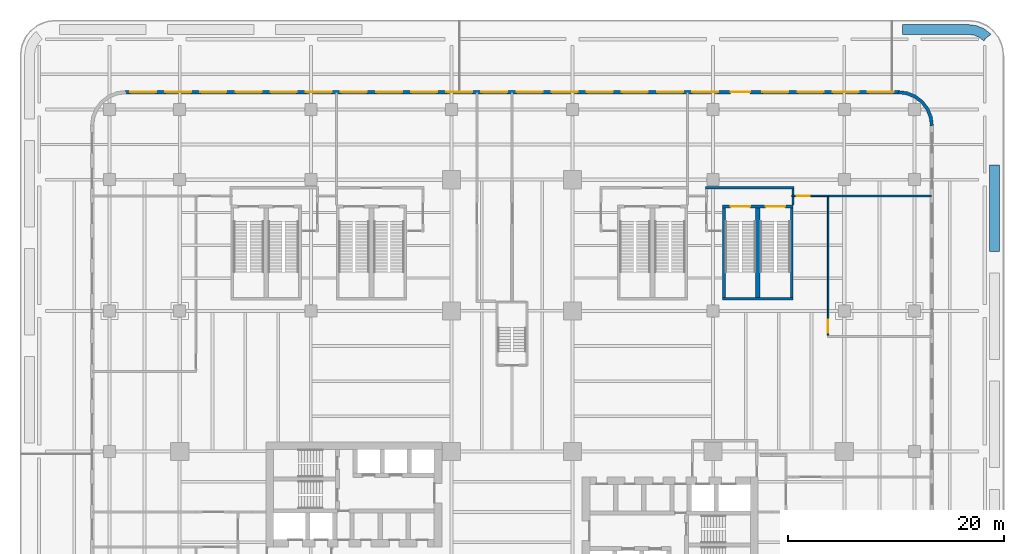
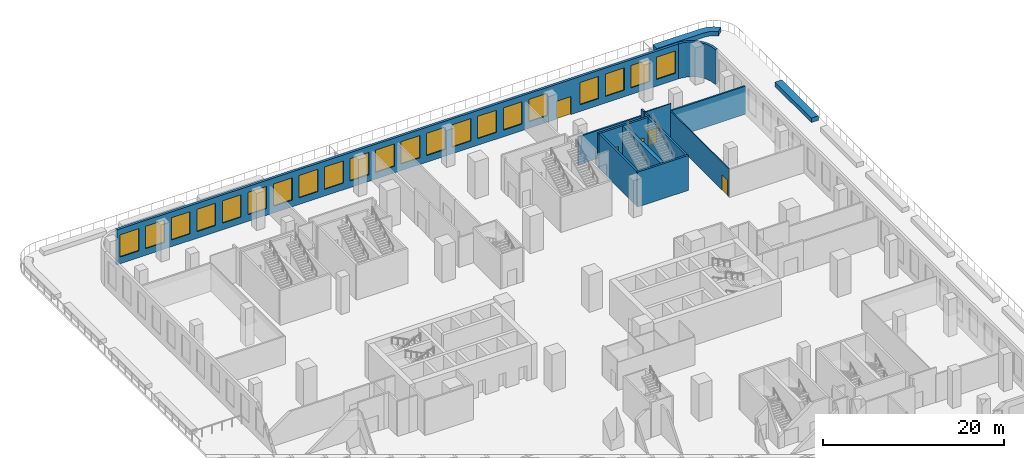
# One storey, part 15 of 18: 21 windows, 15 walls, 5 doors, 26 openings.
"""IFC4 building model written with IfcOpenShell, lengths in metres."""

from ifc_helpers import new_model, si_unit, direction, frame, frame_2d, origin, place, context, subcontext, project, spatial, polyline, rectangle, outline, extrude, source, transform, mapped, material, layer, layer_set, type_object, element, fill, save


model = new_model("IFC4")

# Units and contexts
model_context = context("Model", 3, precision=1e-05, world=origin(), true_north=direction((0.0, 1.0)))
body_context = subcontext(model_context, "Body", "Model", "MODEL_VIEW")
ifc_project = project(units=[si_unit("LENGTHUNIT", "METRE"), si_unit("AREAUNIT", "SQUARE_METRE"), si_unit("VOLUMEUNIT", "CUBIC_METRE"), si_unit("PLANEANGLEUNIT", "RADIAN"), si_unit("MASSUNIT", "GRAM", prefix="KILO")], contexts=[model_context])

# Site, building, storey
site_placement = place(None, origin())
site = spatial("IfcSite", under=ifc_project, at=site_placement, CompositionType="ELEMENT")
building_placement = place(site_placement, origin())
building = spatial("IfcBuilding", under=site, at=building_placement, Name="Trellis Farm Tower", CompositionType="ELEMENT")
storey_placement = place(building_placement, frame((0.0, 0.0, 14.0)))
storey = spatial("IfcBuildingStorey", under=building, at=storey_placement, Name="L02", CompositionType="ELEMENT", Elevation=14.0)

# Walls
ifc_material_1 = material(Name="Sandstone faced masonry planter", Category="masonry")
ifc_layer_1 = layer(ifc_material_1, 0.89990234375)
ifc_layer_set_1 = layer_set([ifc_layer_1], Name="TERRACE PLANTER BED 900")
wall_type_1 = type_object("IfcWallType", Name="TERRACE PLANTER BED 900", PredefinedType="USERDEFINED", material=ifc_layer_set_1)
placement = place(storey_placement, origin())
element("IfcWall", 1, at=placement, inside=storey, type_object=wall_type_1, Name="PLANTER bed", ObjectType="PLANTER", PredefinedType="USERDEFINED", context=body_context, shape_type="SweptSolid", body=[
    extrude(outline(polyline([(42.98681640625, 44.99951171875), (43.67333984375, 44.715087890625), (44.2626953125, 44.2626953125), (44.314453125, 44.1953125), (43.78173828125, 43.78662109375), (43.804931640625, 43.763427734375), (43.66796875, 43.5849609375), (43.219482421875, 43.928955078125), (42.751708984375, 44.122802734375), (42.164794921875, 44.199951171875), (36.14990234375, 44.199951171875), (36.14990234375, 45.10009765625), (42.223876953125, 45.10009765625), (42.98681640625, 44.99951171875)])), origin(), (0.0, 0.0, 1.0), 0.60009765625),
])
element("IfcWall", 2, at=placement, inside=storey, type_object=wall_type_1, Name="PLANTER bed", ObjectType="PLANTER", PredefinedType="USERDEFINED", context=body_context, shape_type="SweptSolid", body=[
    extrude(outline(polyline([(44.199951171875, 24.0986328125), (44.199951171875, 32.0986328125), (45.10009765625, 32.0986328125), (45.10009765625, 24.0986328125), (44.199951171875, 24.0986328125)])), origin(), (0.0, 0.0, 1.0), 0.60009765625),
])

# Wall, openings, doors
ifc_material_2 = material(Name="Concrete C80/95", Category="concrete")
ifc_layer_2 = layer(ifc_material_2, 0.25)
ifc_layer_set_2 = layer_set([ifc_layer_2], Name="CORE STAIR ENCLOSURE WALL 250 CONCRETE C80/95")
wall_type_2 = type_object("IfcWallType", Name="CORE STAIR ENCLOSURE WALL 250 CONCRETE C80/95", PredefinedType="SHEAR", material=ifc_layer_set_2)
shared_shape_1 = source(origin(), body_context, "Body", "SweptSolid", [
    extrude(rectangle(XDim=6.5, YDim=0.25, at=frame_2d((3.25, 0.0))), origin(), (0.0, 0.0, 1.0), 4.699951171875),
])
wall_3_placement = place(storey_placement, frame((19.5, 28.27490234375, 0.0), z_axis=(0.0, 0.0, 1.0), x_axis=(1.0, 0.0, 0.0)))
wall_3 = element("IfcWall", 3, at=wall_3_placement, inside=storey, type_object=wall_type_2, Name="Podium stair enclosure wall", PredefinedType="SHEAR", context=body_context, shape_type="MappedRepresentation", body=[
    mapped(shared_shape_1, transform((0.0, 0.0, 0.0))),
])
shared_shape_2 = source(origin(), body_context, "Body", "SweptSolid", [
    extrude(rectangle(XDim=1.800048828125, YDim=2.10009765625, at=frame_2d((0.89990234375, 1.050048828125))), frame((0.0, 0.135009765625, 0.0), z_axis=(0.0, -1.0, 0.0), x_axis=(1.0, 0.0, 0.0)), (0.0, 0.0, 1.0), 0.27001953125),
])
opening_1_placement = place(wall_3_placement, frame((0.72509765625, 0.0, 0.0)))
opening_1 = element("IfcOpeningElement", 4, at=opening_1_placement, cuts=wall_3, Name="Opening DP7", PredefinedType="OPENING", context=body_context, shape_type="MappedRepresentation", body=[
    mapped(shared_shape_2, transform((0.0, 0.0, 0.0))),
])
opening_2_placement = place(wall_3_placement, frame((3.97509765625, 0.0, 0.0)))
opening_2 = element("IfcOpeningElement", 5, at=opening_2_placement, cuts=wall_3, Name="Opening DP8", PredefinedType="OPENING", context=body_context, shape_type="MappedRepresentation", body=[
    mapped(shared_shape_2, transform((0.0, 0.0, 0.0))),
])
ifc_material_3 = material(Name="Steel", Category="steel")
door_type_1 = type_object("IfcDoorType", Name="CORE FIRE DOOR DOUBLE 1800 X 2100", OperationType="DOUBLE_DOOR_SINGLE_SWING", PredefinedType="DOOR", material=ifc_material_3)
shared_shape_3 = source(origin(), body_context, "Body", "SweptSolid", [
    extrude(rectangle(XDim=1.800048828125, YDim=2.10009765625, at=frame_2d((0.89990234375, 1.050048828125))), frame((0.0, 0.02490234375, 0.0), z_axis=(0.0, -1.0, 0.0), x_axis=(1.0, 0.0, 0.0)), (0.0, 0.0, 1.0), 0.050048828125),
])
door_1_placement = place(opening_1_placement, origin())
door_1 = element("IfcDoor", 6, at=door_1_placement, inside=storey, type_object=door_type_1, Name="Podium stair door", OperationType="DOUBLE_DOOR_SINGLE_SWING", OverallHeight=2.10009765625, OverallWidth=1.800048828125, PredefinedType="DOOR", context=body_context, shape_type="MappedRepresentation", body=[
    mapped(shared_shape_3, transform((0.0, 0.0, 0.0))),
])
fill(opening_1, door_1)
door_2_placement = place(opening_2_placement, origin())
door_2 = element("IfcDoor", 7, at=door_2_placement, inside=storey, type_object=door_type_1, Name="Podium stair door", OperationType="DOUBLE_DOOR_SINGLE_SWING", OverallHeight=2.10009765625, OverallWidth=1.800048828125, PredefinedType="DOOR", context=body_context, shape_type="MappedRepresentation", body=[
    mapped(shared_shape_3, transform((0.0, 0.0, 0.0))),
])
fill(opening_2, door_2)

# Walls
wall_4_placement = place(storey_placement, frame((19.5, 19.72509765625, 0.0), z_axis=(0.0, 0.0, 1.0), x_axis=(1.0, 0.0, 0.0)))
element("IfcWall", 8, at=wall_4_placement, inside=storey, type_object=wall_type_2, Name="Podium stair enclosure wall", PredefinedType="SHEAR", context=body_context, shape_type="MappedRepresentation", body=[
    mapped(shared_shape_1, transform((0.0, 0.0, 0.0))),
])
shared_shape_4 = source(origin(), body_context, "Body", "SweptSolid", [
    extrude(rectangle(XDim=8.2998046875, YDim=0.25, at=frame_2d((4.14990234375, 0.0))), origin(), (0.0, 0.0, 1.0), 4.699951171875),
])
for number, where, z_axis, x_axis, name in (
    (9, (19.625, 19.85009765625, 0.0), (0.0, 0.0, 1.0), (0.0, 1.0, 0.0), "Podium stair enclosure wall"),
    (10, (25.875, 19.85009765625, 0.0), (0.0, 0.0, 1.0), (0.0, 1.0, 0.0), "Podium stair enclosure wall"),
):
    element("IfcWall", number, at=place(storey_placement, frame(where, z_axis=z_axis, x_axis=x_axis)), inside=storey, type_object=wall_type_2, Name=name, PredefinedType="SHEAR", context=body_context, shape_type="MappedRepresentation", body=[
        mapped(shared_shape_4, transform((0.0, 0.0, 0.0))),
    ])
ifc_layer_3 = layer(ifc_material_2, 0.43994140625)
ifc_layer_set_3 = layer_set([ifc_layer_3], Name="CORE STAIR ENCLOSURE WALL 440 CONCRETE C80/95")
wall_type_3 = type_object("IfcWallType", Name="CORE STAIR ENCLOSURE WALL 440 CONCRETE C80/95", PredefinedType="SHEAR", material=ifc_layer_set_3)
shared_shape_5 = source(origin(), body_context, "Body", "SweptSolid", [
    extrude(rectangle(XDim=8.2998046875, YDim=0.43994140625, at=frame_2d((4.14990234375, 0.0))), origin(), (0.0, 0.0, 1.0), 4.699951171875),
])
wall_5_placement = place(storey_placement, frame((22.75, 19.85009765625, 0.0), z_axis=(0.0, 0.0, 1.0), x_axis=(0.0, 1.0, 0.0)))
element("IfcWall", 11, at=wall_5_placement, inside=storey, type_object=wall_type_3, Name="Podium stair enclosure wall", PredefinedType="SHEAR", context=body_context, shape_type="MappedRepresentation", body=[
    mapped(shared_shape_5, transform((0.0, 0.0, 0.0))),
])

# Wall, openings, windows, door
ifc_material_4 = material(Name="Sandstone faced insulated wall", Category="masonry")
ifc_layer_4 = layer(ifc_material_4, 0.300048828125)
ifc_layer_set_4 = layer_set([ifc_layer_4], Name="STONE CLAD EXTERNAL WALL 300")
wall_type_4 = type_object("IfcWallType", Name="STONE CLAD EXTERNAL WALL 300", PredefinedType="SOLIDWALL", material=ifc_layer_set_4)
shared_shape_6 = source(origin(), body_context, "Body", "SweptSolid", [
    extrude(rectangle(XDim=71.5, YDim=0.300048828125, at=frame_2d((35.75, 0.0))), origin(), (0.0, 0.0, 1.0), 4.699951171875),
])
wall_6_placement = place(storey_placement, frame((35.75, 38.85009765625, 0.0), z_axis=(0.0, 0.0, 1.0), x_axis=(-1.0, 0.0, 0.0)))
wall_6 = element("IfcWall", 12, at=wall_6_placement, inside=storey, type_object=wall_type_4, Name="EW2 F02", PredefinedType="SOLIDWALL", context=body_context, shape_type="MappedRepresentation", body=[
    mapped(shared_shape_6, transform((0.0, 0.0, 0.0))),
])
shared_shape_7 = source(origin(), body_context, "Body", "SweptSolid", [
    extrude(rectangle(XDim=2.39990234375, YDim=3.0, at=frame_2d((1.199951171875, 1.5))), frame((0.0, 0.16015625, 0.0), z_axis=(0.0, -1.0, 0.0), x_axis=(1.0, 0.0, 0.0)), (0.0, 0.0, 1.0), 0.3203125),
])
opening_3_placement = place(wall_6_placement, frame((0.425048828125, 0.0, 0.89990234375)))
opening_3 = element("IfcOpeningElement", 13, at=opening_3_placement, cuts=wall_6, Name="Opening WN1", PredefinedType="OPENING", context=body_context, shape_type="MappedRepresentation", body=[
    mapped(shared_shape_7, transform((0.0, 0.0, 0.0))),
])
opening_4_placement = place(wall_6_placement, frame((3.675048828125, 0.0, 0.89990234375)))
opening_4 = element("IfcOpeningElement", 14, at=opening_4_placement, cuts=wall_6, Name="Opening WN1", PredefinedType="OPENING", context=body_context, shape_type="MappedRepresentation", body=[
    mapped(shared_shape_7, transform((0.0, 0.0, 0.0))),
])
opening_5_placement = place(wall_6_placement, frame((6.925048828125, 0.0, 0.89990234375)))
opening_5 = element("IfcOpeningElement", 15, at=opening_5_placement, cuts=wall_6, Name="Opening WN1", PredefinedType="OPENING", context=body_context, shape_type="MappedRepresentation", body=[
    mapped(shared_shape_7, transform((0.0, 0.0, 0.0))),
])
opening_6_placement = place(wall_6_placement, frame((10.175048828125, 0.0, 0.89990234375)))
opening_6 = element("IfcOpeningElement", 16, at=opening_6_placement, cuts=wall_6, Name="Opening WN1", PredefinedType="OPENING", context=body_context, shape_type="MappedRepresentation", body=[
    mapped(shared_shape_7, transform((0.0, 0.0, 0.0))),
])
shared_shape_8 = source(origin(), body_context, "Body", "SweptSolid", [
    extrude(rectangle(XDim=1.800048828125, YDim=2.39990234375, at=frame_2d((0.89990234375, 1.199951171875))), frame((0.0, 0.16015625, 0.0), z_axis=(0.0, -1.0, 0.0), x_axis=(1.0, 0.0, 0.0)), (0.0, 0.0, 1.0), 0.3203125),
])
opening_7_placement = place(wall_6_placement, frame((13.72509765625, 0.0, 0.0)))
opening_7 = element("IfcOpeningElement", 17, at=opening_7_placement, cuts=wall_6, Name="Opening ED1", PredefinedType="OPENING", context=body_context, shape_type="MappedRepresentation", body=[
    mapped(shared_shape_8, transform((0.0, 0.0, 0.0))),
])
opening_8_placement = place(wall_6_placement, frame((16.675048828125, 0.0, 0.89990234375)))
opening_8 = element("IfcOpeningElement", 18, at=opening_8_placement, cuts=wall_6, Name="Opening WN1", PredefinedType="OPENING", context=body_context, shape_type="MappedRepresentation", body=[
    mapped(shared_shape_7, transform((0.0, 0.0, 0.0))),
])
opening_9_placement = place(wall_6_placement, frame((19.925048828125, 0.0, 0.89990234375)))
opening_9 = element("IfcOpeningElement", 19, at=opening_9_placement, cuts=wall_6, Name="Opening WN1", PredefinedType="OPENING", context=body_context, shape_type="MappedRepresentation", body=[
    mapped(shared_shape_7, transform((0.0, 0.0, 0.0))),
])
opening_10_placement = place(wall_6_placement, frame((23.175048828125, 0.0, 0.89990234375)))
opening_10 = element("IfcOpeningElement", 20, at=opening_10_placement, cuts=wall_6, Name="Opening WN1", PredefinedType="OPENING", context=body_context, shape_type="MappedRepresentation", body=[
    mapped(shared_shape_7, transform((0.0, 0.0, 0.0))),
])
opening_11_placement = place(wall_6_placement, frame((26.425048828125, 0.0, 0.89990234375)))
opening_11 = element("IfcOpeningElement", 21, at=opening_11_placement, cuts=wall_6, Name="Opening WN1", PredefinedType="OPENING", context=body_context, shape_type="MappedRepresentation", body=[
    mapped(shared_shape_7, transform((0.0, 0.0, 0.0))),
])
opening_12_placement = place(wall_6_placement, frame((29.675048828125, 0.0, 0.89990234375)))
opening_12 = element("IfcOpeningElement", 22, at=opening_12_placement, cuts=wall_6, Name="Opening WN1", PredefinedType="OPENING", context=body_context, shape_type="MappedRepresentation", body=[
    mapped(shared_shape_7, transform((0.0, 0.0, 0.0))),
])
opening_13_placement = place(wall_6_placement, frame((32.925048828125, 0.0, 0.89990234375)))
opening_13 = element("IfcOpeningElement", 23, at=opening_13_placement, cuts=wall_6, Name="Opening WN1", PredefinedType="OPENING", context=body_context, shape_type="MappedRepresentation", body=[
    mapped(shared_shape_7, transform((0.0, 0.0, 0.0))),
])
opening_14_placement = place(wall_6_placement, frame((36.175048828125, 0.0, 0.89990234375)))
opening_14 = element("IfcOpeningElement", 24, at=opening_14_placement, cuts=wall_6, Name="Opening WN1", PredefinedType="OPENING", context=body_context, shape_type="MappedRepresentation", body=[
    mapped(shared_shape_7, transform((0.0, 0.0, 0.0))),
])
opening_15_placement = place(wall_6_placement, frame((39.425048828125, 0.0, 0.89990234375)))
opening_15 = element("IfcOpeningElement", 25, at=opening_15_placement, cuts=wall_6, Name="Opening WN1", PredefinedType="OPENING", context=body_context, shape_type="MappedRepresentation", body=[
    mapped(shared_shape_7, transform((0.0, 0.0, 0.0))),
])
opening_16_placement = place(wall_6_placement, frame((42.675048828125, 0.0, 0.89990234375)))
opening_16 = element("IfcOpeningElement", 26, at=opening_16_placement, cuts=wall_6, Name="Opening WN1", PredefinedType="OPENING", context=body_context, shape_type="MappedRepresentation", body=[
    mapped(shared_shape_7, transform((0.0, 0.0, 0.0))),
])
opening_17_placement = place(wall_6_placement, frame((45.925048828125, 0.0, 0.89990234375)))
opening_17 = element("IfcOpeningElement", 27, at=opening_17_placement, cuts=wall_6, Name="Opening WN1", PredefinedType="OPENING", context=body_context, shape_type="MappedRepresentation", body=[
    mapped(shared_shape_7, transform((0.0, 0.0, 0.0))),
])
opening_18_placement = place(wall_6_placement, frame((49.175048828125, 0.0, 0.89990234375)))
opening_18 = element("IfcOpeningElement", 28, at=opening_18_placement, cuts=wall_6, Name="Opening WN1", PredefinedType="OPENING", context=body_context, shape_type="MappedRepresentation", body=[
    mapped(shared_shape_7, transform((0.0, 0.0, 0.0))),
])
opening_19_placement = place(wall_6_placement, frame((52.425048828125, 0.0, 0.89990234375)))
opening_19 = element("IfcOpeningElement", 29, at=opening_19_placement, cuts=wall_6, Name="Opening WN1", PredefinedType="OPENING", context=body_context, shape_type="MappedRepresentation", body=[
    mapped(shared_shape_7, transform((0.0, 0.0, 0.0))),
])
opening_20_placement = place(wall_6_placement, frame((55.675048828125, 0.0, 0.89990234375)))
opening_20 = element("IfcOpeningElement", 30, at=opening_20_placement, cuts=wall_6, Name="Opening WN1", PredefinedType="OPENING", context=body_context, shape_type="MappedRepresentation", body=[
    mapped(shared_shape_7, transform((0.0, 0.0, 0.0))),
])
opening_21_placement = place(wall_6_placement, frame((58.925048828125, 0.0, 0.89990234375)))
opening_21 = element("IfcOpeningElement", 31, at=opening_21_placement, cuts=wall_6, Name="Opening WN1", PredefinedType="OPENING", context=body_context, shape_type="MappedRepresentation", body=[
    mapped(shared_shape_7, transform((0.0, 0.0, 0.0))),
])
opening_22_placement = place(wall_6_placement, frame((62.175048828125, 0.0, 0.89990234375)))
opening_22 = element("IfcOpeningElement", 32, at=opening_22_placement, cuts=wall_6, Name="Opening WN1", PredefinedType="OPENING", context=body_context, shape_type="MappedRepresentation", body=[
    mapped(shared_shape_7, transform((0.0, 0.0, 0.0))),
])
opening_23_placement = place(wall_6_placement, frame((65.425048828125, 0.0, 0.89990234375)))
opening_23 = element("IfcOpeningElement", 33, at=opening_23_placement, cuts=wall_6, Name="Opening WN1", PredefinedType="OPENING", context=body_context, shape_type="MappedRepresentation", body=[
    mapped(shared_shape_7, transform((0.0, 0.0, 0.0))),
])
opening_24_placement = place(wall_6_placement, frame((68.675048828125, 0.0, 0.89990234375)))
opening_24 = element("IfcOpeningElement", 34, at=opening_24_placement, cuts=wall_6, Name="Opening WN1", PredefinedType="OPENING", context=body_context, shape_type="MappedRepresentation", body=[
    mapped(shared_shape_7, transform((0.0, 0.0, 0.0))),
])
ifc_material_5 = material(Name="Clear insulated glass", Category="glass")
window_type = type_object("IfcWindowType", Name="PODIUM WINDOW 2400x3000", PartitioningType="SINGLE_PANEL", PredefinedType="WINDOW", material=ifc_material_5)
shared_shape_9 = source(origin(), body_context, "Body", "SweptSolid", [
    extrude(rectangle(XDim=2.39990234375, YDim=3.0, at=frame_2d((1.199951171875, 1.5))), frame((0.0, 0.030029296875, 0.0), z_axis=(0.0, -1.0, 0.0), x_axis=(1.0, 0.0, 0.0)), (0.0, 0.0, 1.0), 0.06005859375),
])
window_1_placement = place(opening_3_placement, origin())
window_1 = element("IfcWindow", 35, at=window_1_placement, inside=storey, type_object=window_type, Name="WN1 023", OverallHeight=3.0, OverallWidth=2.39990234375, PartitioningType="SINGLE_PANEL", PredefinedType="WINDOW", context=body_context, shape_type="MappedRepresentation", body=[
    mapped(shared_shape_9, transform((0.0, 0.0, 0.0))),
])
fill(opening_3, window_1)
window_2_placement = place(opening_4_placement, origin())
window_2 = element("IfcWindow", 36, at=window_2_placement, inside=storey, type_object=window_type, Name="WN1 024", OverallHeight=3.0, OverallWidth=2.39990234375, PartitioningType="SINGLE_PANEL", PredefinedType="WINDOW", context=body_context, shape_type="MappedRepresentation", body=[
    mapped(shared_shape_9, transform((0.0, 0.0, 0.0))),
])
fill(opening_4, window_2)
window_3_placement = place(opening_5_placement, origin())
window_3 = element("IfcWindow", 37, at=window_3_placement, inside=storey, type_object=window_type, Name="WN1 025", OverallHeight=3.0, OverallWidth=2.39990234375, PartitioningType="SINGLE_PANEL", PredefinedType="WINDOW", context=body_context, shape_type="MappedRepresentation", body=[
    mapped(shared_shape_9, transform((0.0, 0.0, 0.0))),
])
fill(opening_5, window_3)
window_4_placement = place(opening_6_placement, origin())
window_4 = element("IfcWindow", 38, at=window_4_placement, inside=storey, type_object=window_type, Name="WN1 026", OverallHeight=3.0, OverallWidth=2.39990234375, PartitioningType="SINGLE_PANEL", PredefinedType="WINDOW", context=body_context, shape_type="MappedRepresentation", body=[
    mapped(shared_shape_9, transform((0.0, 0.0, 0.0))),
])
fill(opening_6, window_4)
window_5_placement = place(opening_8_placement, origin())
window_5 = element("IfcWindow", 39, at=window_5_placement, inside=storey, type_object=window_type, Name="WN1 027", OverallHeight=3.0, OverallWidth=2.39990234375, PartitioningType="SINGLE_PANEL", PredefinedType="WINDOW", context=body_context, shape_type="MappedRepresentation", body=[
    mapped(shared_shape_9, transform((0.0, 0.0, 0.0))),
])
fill(opening_8, window_5)
window_6_placement = place(opening_9_placement, origin())
window_6 = element("IfcWindow", 40, at=window_6_placement, inside=storey, type_object=window_type, Name="WN1 028", OverallHeight=3.0, OverallWidth=2.39990234375, PartitioningType="SINGLE_PANEL", PredefinedType="WINDOW", context=body_context, shape_type="MappedRepresentation", body=[
    mapped(shared_shape_9, transform((0.0, 0.0, 0.0))),
])
fill(opening_9, window_6)
window_7_placement = place(opening_10_placement, origin())
window_7 = element("IfcWindow", 41, at=window_7_placement, inside=storey, type_object=window_type, Name="WN1 029", OverallHeight=3.0, OverallWidth=2.39990234375, PartitioningType="SINGLE_PANEL", PredefinedType="WINDOW", context=body_context, shape_type="MappedRepresentation", body=[
    mapped(shared_shape_9, transform((0.0, 0.0, 0.0))),
])
fill(opening_10, window_7)
window_8_placement = place(opening_11_placement, origin())
window_8 = element("IfcWindow", 42, at=window_8_placement, inside=storey, type_object=window_type, Name="WN1 030", OverallHeight=3.0, OverallWidth=2.39990234375, PartitioningType="SINGLE_PANEL", PredefinedType="WINDOW", context=body_context, shape_type="MappedRepresentation", body=[
    mapped(shared_shape_9, transform((0.0, 0.0, 0.0))),
])
fill(opening_11, window_8)
window_9_placement = place(opening_12_placement, origin())
window_9 = element("IfcWindow", 43, at=window_9_placement, inside=storey, type_object=window_type, Name="WN1 031", OverallHeight=3.0, OverallWidth=2.39990234375, PartitioningType="SINGLE_PANEL", PredefinedType="WINDOW", context=body_context, shape_type="MappedRepresentation", body=[
    mapped(shared_shape_9, transform((0.0, 0.0, 0.0))),
])
fill(opening_12, window_9)
window_10_placement = place(opening_13_placement, origin())
window_10 = element("IfcWindow", 44, at=window_10_placement, inside=storey, type_object=window_type, Name="WN1 032", OverallHeight=3.0, OverallWidth=2.39990234375, PartitioningType="SINGLE_PANEL", PredefinedType="WINDOW", context=body_context, shape_type="MappedRepresentation", body=[
    mapped(shared_shape_9, transform((0.0, 0.0, 0.0))),
])
fill(opening_13, window_10)
window_11_placement = place(opening_14_placement, origin())
window_11 = element("IfcWindow", 45, at=window_11_placement, inside=storey, type_object=window_type, Name="WN1 033", OverallHeight=3.0, OverallWidth=2.39990234375, PartitioningType="SINGLE_PANEL", PredefinedType="WINDOW", context=body_context, shape_type="MappedRepresentation", body=[
    mapped(shared_shape_9, transform((0.0, 0.0, 0.0))),
])
fill(opening_14, window_11)
window_12_placement = place(opening_15_placement, origin())
window_12 = element("IfcWindow", 46, at=window_12_placement, inside=storey, type_object=window_type, Name="WN1 034", OverallHeight=3.0, OverallWidth=2.39990234375, PartitioningType="SINGLE_PANEL", PredefinedType="WINDOW", context=body_context, shape_type="MappedRepresentation", body=[
    mapped(shared_shape_9, transform((0.0, 0.0, 0.0))),
])
fill(opening_15, window_12)
window_13_placement = place(opening_16_placement, origin())
window_13 = element("IfcWindow", 47, at=window_13_placement, inside=storey, type_object=window_type, Name="WN1 035", OverallHeight=3.0, OverallWidth=2.39990234375, PartitioningType="SINGLE_PANEL", PredefinedType="WINDOW", context=body_context, shape_type="MappedRepresentation", body=[
    mapped(shared_shape_9, transform((0.0, 0.0, 0.0))),
])
fill(opening_16, window_13)
window_14_placement = place(opening_17_placement, origin())
window_14 = element("IfcWindow", 48, at=window_14_placement, inside=storey, type_object=window_type, Name="WN1 036", OverallHeight=3.0, OverallWidth=2.39990234375, PartitioningType="SINGLE_PANEL", PredefinedType="WINDOW", context=body_context, shape_type="MappedRepresentation", body=[
    mapped(shared_shape_9, transform((0.0, 0.0, 0.0))),
])
fill(opening_17, window_14)
window_15_placement = place(opening_18_placement, origin())
window_15 = element("IfcWindow", 49, at=window_15_placement, inside=storey, type_object=window_type, Name="WN1 037", OverallHeight=3.0, OverallWidth=2.39990234375, PartitioningType="SINGLE_PANEL", PredefinedType="WINDOW", context=body_context, shape_type="MappedRepresentation", body=[
    mapped(shared_shape_9, transform((0.0, 0.0, 0.0))),
])
fill(opening_18, window_15)
window_16_placement = place(opening_19_placement, origin())
window_16 = element("IfcWindow", 50, at=window_16_placement, inside=storey, type_object=window_type, Name="WN1 038", OverallHeight=3.0, OverallWidth=2.39990234375, PartitioningType="SINGLE_PANEL", PredefinedType="WINDOW", context=body_context, shape_type="MappedRepresentation", body=[
    mapped(shared_shape_9, transform((0.0, 0.0, 0.0))),
])
fill(opening_19, window_16)
window_17_placement = place(opening_20_placement, origin())
window_17 = element("IfcWindow", 51, at=window_17_placement, inside=storey, type_object=window_type, Name="WN1 039", OverallHeight=3.0, OverallWidth=2.39990234375, PartitioningType="SINGLE_PANEL", PredefinedType="WINDOW", context=body_context, shape_type="MappedRepresentation", body=[
    mapped(shared_shape_9, transform((0.0, 0.0, 0.0))),
])
fill(opening_20, window_17)
window_18_placement = place(opening_21_placement, origin())
window_18 = element("IfcWindow", 52, at=window_18_placement, inside=storey, type_object=window_type, Name="WN1 040", OverallHeight=3.0, OverallWidth=2.39990234375, PartitioningType="SINGLE_PANEL", PredefinedType="WINDOW", context=body_context, shape_type="MappedRepresentation", body=[
    mapped(shared_shape_9, transform((0.0, 0.0, 0.0))),
])
fill(opening_21, window_18)
window_19_placement = place(opening_22_placement, origin())
window_19 = element("IfcWindow", 53, at=window_19_placement, inside=storey, type_object=window_type, Name="WN1 041", OverallHeight=3.0, OverallWidth=2.39990234375, PartitioningType="SINGLE_PANEL", PredefinedType="WINDOW", context=body_context, shape_type="MappedRepresentation", body=[
    mapped(shared_shape_9, transform((0.0, 0.0, 0.0))),
])
fill(opening_22, window_19)
window_20_placement = place(opening_23_placement, origin())
window_20 = element("IfcWindow", 54, at=window_20_placement, inside=storey, type_object=window_type, Name="WN1 042", OverallHeight=3.0, OverallWidth=2.39990234375, PartitioningType="SINGLE_PANEL", PredefinedType="WINDOW", context=body_context, shape_type="MappedRepresentation", body=[
    mapped(shared_shape_9, transform((0.0, 0.0, 0.0))),
])
fill(opening_23, window_20)
window_21_placement = place(opening_24_placement, origin())
window_21 = element("IfcWindow", 55, at=window_21_placement, inside=storey, type_object=window_type, Name="WN1 043", OverallHeight=3.0, OverallWidth=2.39990234375, PartitioningType="SINGLE_PANEL", PredefinedType="WINDOW", context=body_context, shape_type="MappedRepresentation", body=[
    mapped(shared_shape_9, transform((0.0, 0.0, 0.0))),
])
fill(opening_24, window_21)
ifc_material_6 = material(Name="Aluminium framed glazed door", Category="aluminium")
door_type_2 = type_object("IfcDoorType", Name="BALCONY DOOR 1800x2400", OperationType="DOUBLE_DOOR_SINGLE_SWING", PredefinedType="DOOR", material=ifc_material_6)
shared_shape_10 = source(origin(), body_context, "Body", "SweptSolid", [
    extrude(rectangle(XDim=1.800048828125, YDim=2.39990234375, at=frame_2d((0.89990234375, 1.199951171875))), frame((0.0, 0.02490234375, 0.0), z_axis=(0.0, -1.0, 0.0), x_axis=(1.0, 0.0, 0.0)), (0.0, 0.0, 1.0), 0.050048828125),
])
door_3_placement = place(opening_7_placement, origin())
door_3 = element("IfcDoor", 56, at=door_3_placement, inside=storey, type_object=door_type_2, Name="Balcony door", OperationType="DOUBLE_DOOR_SINGLE_SWING", OverallHeight=2.39990234375, OverallWidth=1.800048828125, PredefinedType="DOOR", context=body_context, shape_type="MappedRepresentation", body=[
    mapped(shared_shape_10, transform((0.0, 0.0, 0.0))),
])
fill(opening_7, door_3)

# Walls
shared_shape_11 = source(origin(), body_context, "Body", "SweptSolid", [
    extrude(outline(polyline([(39.0, 35.75), (38.88916015625, 36.591064453125), (38.564697265625, 37.375), (38.048095703125, 38.048095703125), (37.375, 38.564697265625), (36.591064453125, 38.88916015625), (35.75, 39.0), (35.730224609375, 38.699951171875), (36.512939453125, 38.596923828125), (37.2236328125, 38.302490234375), (37.834228515625, 37.834228515625), (38.302490234375, 37.2236328125), (38.596923828125, 36.512939453125), (38.699951171875, 35.730224609375), (39.0, 35.75)])), origin(), (0.0, 0.0, 1.0), 4.699951171875),
])
element("IfcWall", 57, at=placement, inside=storey, type_object=wall_type_4, Name="EW2 C01", PredefinedType="SOLIDWALL", context=body_context, shape_type="MappedRepresentation", body=[
    mapped(shared_shape_11, transform((0.0, 0.0, 0.0))),
])
ifc_material_7 = material(Name="Lightweight blockwork, plastered", Category="masonry")
ifc_layer_5 = layer(ifc_material_7, 0.199951171875)
ifc_layer_set_5 = layer_set([ifc_layer_5], Name="BLOCK WALL 200 EI 120")
wall_type_5 = type_object("IfcWallType", Name="BLOCK WALL 200 EI 120", PredefinedType="PARTITIONING", material=ifc_layer_set_5)
shared_shape_12 = source(origin(), body_context, "Body", "SweptSolid", [
    extrude(rectangle(XDim=0.78759765625, YDim=0.199951171875, at=frame_2d((0.393798828125, 0.0))), origin(), (0.0, 0.0, 1.0), 4.699951171875),
])
wall_8_placement = place(storey_placement, frame((26.0, 28.39990234375, 0.0), z_axis=(0.0, 0.0, 1.0), x_axis=(0.0, 1.0, 0.0)))
element("IfcWall", 58, at=wall_8_placement, inside=storey, type_object=wall_type_5, Name="Partition PW3", PredefinedType="PARTITIONING", context=body_context, shape_type="MappedRepresentation", body=[
    mapped(shared_shape_12, transform((0.0, 0.0, 0.0))),
])
shared_shape_13 = source(origin(), body_context, "Body", "SweptSolid", [
    extrude(rectangle(XDim=0.58740234375, YDim=0.199951171875, at=frame_2d((0.293701171875, 0.0))), origin(), (0.0, 0.0, 1.0), 4.699951171875),
])
wall_9_placement = place(storey_placement, frame((26.0, 29.89990234375, 0.0), z_axis=(0.0, 0.0, 1.0), x_axis=(0.0, -1.0, 0.0)))
element("IfcWall", 59, at=wall_9_placement, inside=storey, type_object=wall_type_5, Name="Partition PW3", PredefinedType="PARTITIONING", context=body_context, shape_type="MappedRepresentation", body=[
    mapped(shared_shape_13, transform((0.0, 0.0, 0.0))),
])
shared_shape_14 = source(origin(), body_context, "Body", "SweptSolid", [
    extrude(rectangle(XDim=8.2001953125, YDim=0.199951171875, at=frame_2d((4.10009765625, 0.0))), origin(), (0.0, 0.0, 1.0), 3.76171875),
])
wall_10_placement = place(storey_placement, frame((17.89990234375, 30.0, 0.0), z_axis=(0.0, 0.0, 1.0), x_axis=(1.0, 0.0, 0.0)))
element("IfcWall", 60, at=wall_10_placement, inside=storey, type_object=wall_type_5, Name="Partition PW3", PredefinedType="PARTITIONING", context=body_context, shape_type="MappedRepresentation", body=[
    mapped(shared_shape_14, transform((0.0, 0.0, 0.0))),
])
shared_shape_15 = source(origin(), body_context, "Body", "SweptSolid", [
    extrude(rectangle(XDim=9.612548828125, YDim=0.199951171875, at=frame_2d((4.80615234375, 0.0))), origin(), (0.0, 0.0, 1.0), 3.76171875),
])
wall_11_placement = place(storey_placement, frame((29.1875, 29.25, 0.0), z_axis=(0.0, 0.0, 1.0), x_axis=(1.0, 0.0, 0.0)))
element("IfcWall", 61, at=wall_11_placement, inside=storey, type_object=wall_type_5, Name="Partition PW3", PredefinedType="PARTITIONING", context=body_context, shape_type="MappedRepresentation", body=[
    mapped(shared_shape_15, transform((0.0, 0.0, 0.0))),
])

# Wall, opening, door
ifc_material_8 = material(Name="Plasterboard on steel studs, mineral wool", Category="steel")
ifc_layer_6 = layer(ifc_material_8, 0.125)
ifc_layer_set_6 = layer_set([ifc_layer_6], Name="PARTITION 125 STUD EI 60")
wall_type_6 = type_object("IfcWallType", Name="PARTITION 125 STUD EI 60", PredefinedType="PARTITIONING", material=ifc_layer_set_6)
shared_shape_16 = source(origin(), body_context, "Body", "SweptSolid", [
    extrude(rectangle(XDim=3.41259765625, YDim=0.125, at=frame_2d((1.706298828125, 0.0))), origin(), (0.0, 0.0, 1.0), 4.699951171875),
])
wall_12_placement = place(storey_placement, frame((25.89990234375, 29.25, 0.0), z_axis=(0.0, 0.0, 1.0), x_axis=(1.0, 0.0, 0.0)))
wall_12 = element("IfcWall", 62, at=wall_12_placement, inside=storey, type_object=wall_type_6, Name="Partition PW1", PredefinedType="PARTITIONING", context=body_context, shape_type="MappedRepresentation", body=[
    mapped(shared_shape_16, transform((0.0, 0.0, 0.0))),
])
shared_shape_17 = source(origin(), body_context, "Body", "SweptSolid", [
    extrude(rectangle(XDim=1.199951171875, YDim=2.10009765625, at=frame_2d((0.60009765625, 1.050048828125))), frame((0.0, 0.072509765625, 0.0), z_axis=(0.0, -1.0, 0.0), x_axis=(1.0, 0.0, 0.0)), (0.0, 0.0, 1.0), 0.14501953125),
])
opening_25_placement = place(wall_12_placement, frame((0.449951171875, 0.0, 0.0)))
opening_25 = element("IfcOpeningElement", 63, at=opening_25_placement, cuts=wall_12, Name="Opening D606", PredefinedType="OPENING", context=body_context, shape_type="MappedRepresentation", body=[
    mapped(shared_shape_17, transform((0.0, 0.0, 0.0))),
])
ifc_material_9 = material(Name="Fire-rated timber door leaf in a hollow metal frame", Category="wood")
door_type_3 = type_object("IfcDoorType", Name="DOOR 1200x2100 FD30S", OperationType="NOTDEFINED", PredefinedType="DOOR", material=ifc_material_9)
shared_shape_18 = source(origin(), body_context, "Body", "SweptSolid", [
    extrude(rectangle(XDim=1.199951171875, YDim=2.10009765625, at=frame_2d((0.60009765625, 1.050048828125))), frame((0.0, 0.02490234375, 0.0), z_axis=(0.0, -1.0, 0.0), x_axis=(1.0, 0.0, 0.0)), (0.0, 0.0, 1.0), 0.050048828125),
])
door_4_placement = place(opening_25_placement, origin())
door_4 = element("IfcDoor", 64, at=door_4_placement, inside=storey, type_object=door_type_3, Name="Door D606", OperationType="SINGLE_SWING_LEFT", OverallHeight=2.10009765625, OverallWidth=1.199951171875, PredefinedType="DOOR", context=body_context, shape_type="MappedRepresentation", body=[
    mapped(shared_shape_18, transform((0.0, 0.0, 0.0))),
])
fill(opening_25, door_4)

shared_shape_19 = source(origin(), body_context, "Body", "SweptSolid", [
    extrude(rectangle(XDim=12.7998046875, YDim=0.125, at=frame_2d((6.39990234375, 0.0))), origin(), (0.0, 0.0, 1.0), 3.76171875),
])
wall_13_placement = place(storey_placement, frame((29.25, 29.14990234375, 0.0), z_axis=(0.0, 0.0, 1.0), x_axis=(0.0, -1.0, 0.0)))
wall_13 = element("IfcWall", 65, at=wall_13_placement, inside=storey, type_object=wall_type_6, Name="Partition PW1", PredefinedType="PARTITIONING", context=body_context, shape_type="MappedRepresentation", body=[
    mapped(shared_shape_19, transform((0.0, 0.0, 0.0))),
])
opening_26_placement = place(wall_13_placement, frame((11.35009765625, 0.0, 0.0)))
opening_26 = element("IfcOpeningElement", 66, at=opening_26_placement, cuts=wall_13, Name="Opening D605", PredefinedType="OPENING", context=body_context, shape_type="MappedRepresentation", body=[
    mapped(shared_shape_17, transform((0.0, 0.0, 0.0))),
])
door_5_placement = place(opening_26_placement, origin())
door_5 = element("IfcDoor", 67, at=door_5_placement, inside=storey, type_object=door_type_3, Name="Door D605", OperationType="SINGLE_SWING_RIGHT", OverallHeight=2.10009765625, OverallWidth=1.199951171875, PredefinedType="DOOR", context=body_context, shape_type="MappedRepresentation", body=[
    mapped(shared_shape_18, transform((0.0, 0.0, 0.0))),
])
fill(opening_26, door_5)

save(model, "model.ifc")
